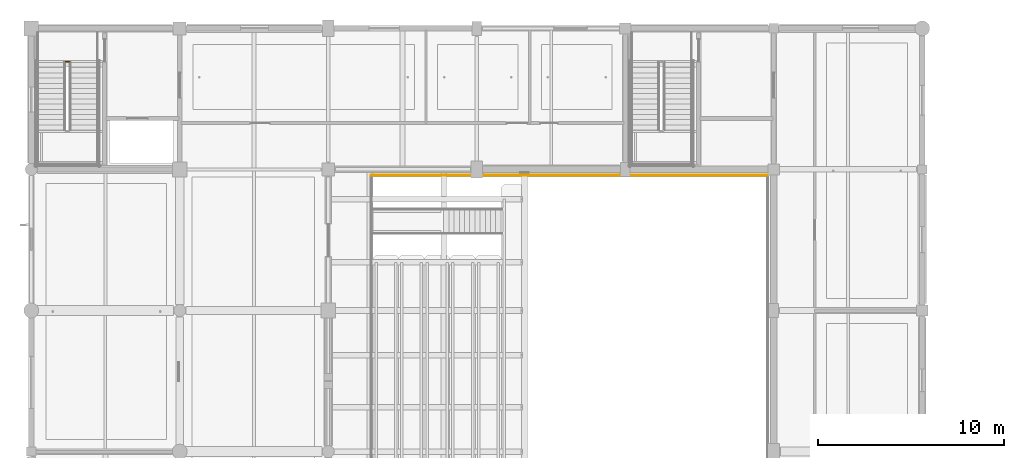
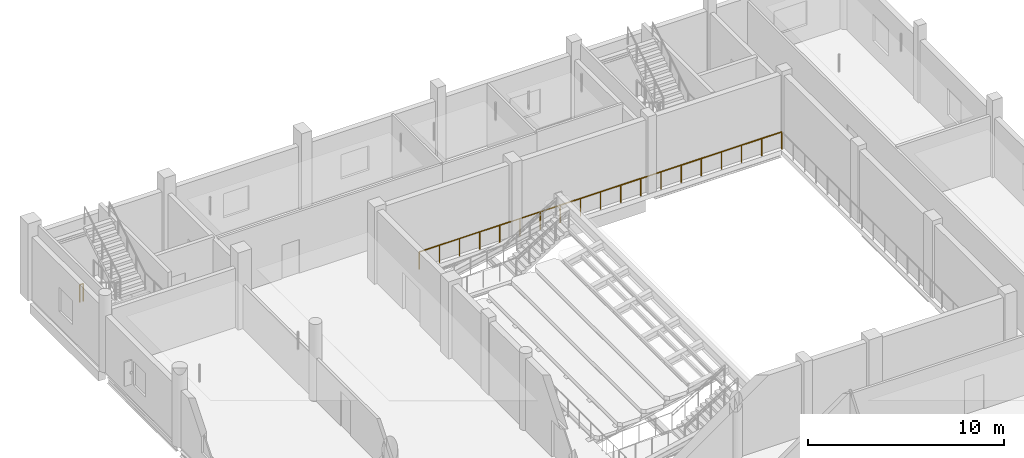
# One storey, part 139 of 147: 2 railings.
"""IFC4 building model written with IfcOpenShell, lengths in metres."""

import ifcopenshell
import ifcopenshell.guid

model = None  # the IFC model being written
_history = None  # IfcOwnerHistory: only IFC2X3 demands one
_inside = {}  # id of a spatial element -> (the spatial element, [elements in it])
_under = {}  # id of a project, library or spatial element -> (it, [spatial elements below it])
_declared = {}  # id of a project -> (the project, [libraries it declares])
_typed = {}  # id of a type object -> (the type object, [elements of that type])
_made_of = {}  # id of a material, layer set ... -> (it, [elements and type objects made of it])


def new_model(schema):
    """Start an empty IFC model of exactly this schema.

    Asked for "IFC4X3", IfcOpenShell would pick the latest addendum, in which some entities
    have other attributes; the version numbers below select the first issue.
    IFC2X3 requires an IfcOwnerHistory on every rooted entity: one is made here for all.
    """
    global model, _history
    if schema == "IFC4X3":
        model = ifcopenshell.file(schema_version=(4, 3, 0, 0))
    else:
        model = ifcopenshell.file(schema=schema)
    _inside.clear()
    _under.clear()
    _declared.clear()
    _typed.clear()
    _made_of.clear()
    _history = None
    if model.schema == "IFC2X3":
        org = make("IfcOrganization", Name="unknown")
        user = make(
            "IfcPersonAndOrganization",
            ThePerson=make("IfcPerson", FamilyName="unknown"),
            TheOrganization=org,
        )
        app = make(
            "IfcApplication",
            ApplicationDeveloper=org,
            Version="unknown",
            ApplicationFullName="unknown",
            ApplicationIdentifier="unknown",
        )
        _history = make(
            "IfcOwnerHistory",
            OwningUser=user,
            OwningApplication=app,
            ChangeAction="ADDED",
            CreationDate=0,
        )
    return model


def make(cls, **values):
    """One entity of the class cls with the attributes given. An attribute that is None is left unset."""
    return model.create_entity(
        cls, **{name: value for name, value in values.items() if value is not None}
    )


def rooted(cls, **values):
    """An entity with a GlobalId (a new one), such as an element, a storey or a relation."""
    return make(cls, GlobalId=ifcopenshell.guid.new(), OwnerHistory=_history, **values)


def si_unit(unit_type, name, prefix=None):
    """IfcSIUnit, for example si_unit("LENGTHUNIT", "METRE", prefix="MILLI")."""
    return make("IfcSIUnit", UnitType=unit_type, Prefix=prefix, Name=name)


def assignment(units):
    """IfcUnitAssignment: the units of a project."""
    return None if units is None else make("IfcUnitAssignment", Units=units)


def point(xyz):
    """IfcCartesianPoint."""
    return None if xyz is None else make("IfcCartesianPoint", Coordinates=xyz)


def direction(xyz):
    """IfcDirection."""
    return None if xyz is None else make("IfcDirection", DirectionRatios=xyz)


def frame(location, z_axis=None, x_axis=None):
    """IfcAxis2Placement3D, a coordinate frame: its origin and axes. An axis left out is left unset."""
    return make(
        "IfcAxis2Placement3D",
        Location=point(location),
        Axis=direction(z_axis),
        RefDirection=direction(x_axis),
    )


def frame_2d(location, x_axis=None):
    """IfcAxis2Placement2D, a coordinate frame in the plane: its origin and x axis."""
    return make(
        "IfcAxis2Placement2D", Location=point(location), RefDirection=direction(x_axis)
    )


def origin():
    """The frame at (0, 0, 0) with its axes left unset."""
    return frame((0.0, 0.0, 0.0))


def origin_2d():
    """The frame at (0, 0) in the plane with its x axis left unset."""
    return frame_2d((0.0, 0.0))


def place(relative_to, where):
    """IfcLocalPlacement: puts the frame where relative to a parent placement (None: the world)."""
    return make(
        "IfcLocalPlacement", PlacementRelTo=relative_to, RelativePlacement=where
    )


def context(
    kind, dimensions, precision=None, world=None, true_north=None, identifier=None
):
    """IfcGeometricRepresentationContext, for example the 3D "Model" context."""
    return make(
        "IfcGeometricRepresentationContext",
        ContextIdentifier=identifier,
        ContextType=kind,
        CoordinateSpaceDimension=dimensions,
        Precision=precision,
        WorldCoordinateSystem=world,
        TrueNorth=true_north,
    )


def subcontext(parent, identifier, kind, view, scale=None):
    """IfcGeometricRepresentationSubContext, for example "Body" below "Model"."""
    return make(
        "IfcGeometricRepresentationSubContext",
        ContextIdentifier=identifier,
        ContextType=kind,
        ParentContext=parent,
        TargetScale=scale,
        TargetView=view,
    )


def project(units=None, contexts=None):
    """IfcProject with its units and contexts."""
    return rooted(
        "IfcProject",
        Name="project",
        RepresentationContexts=contexts,
        UnitsInContext=assignment(units),
    )


def spatial(cls, under=None, at=None, **own):
    """A site, building, storey or space (cls), placed at a placement, below another one or the project."""
    s = rooted(cls, ObjectPlacement=at, **own)
    if under is not None:
        _under.setdefault(under.id(), (under, []))[1].append(s)
    return s


def profile(cls, at=None, kind="AREA", **sizes):
    """A parametric profile (cls). Its sizes go by their IFC names, for example OverallWidth=200.0."""
    return make(cls, ProfileType=kind, Position=at, **sizes)


def circle(**sizes):
    """IfcCircleProfileDef."""
    return profile("IfcCircleProfileDef", **sizes)


def extrude(swept, where, along, depth):
    """IfcExtrudedAreaSolid: the profile swept, set in the frame where, extruded along a direction by depth."""
    return make(
        "IfcExtrudedAreaSolid",
        SweptArea=swept,
        Position=where,
        ExtrudedDirection=direction(along),
        Depth=depth,
    )


def shape(context_of_items, identifier, shape_type, items):
    """IfcShapeRepresentation: the items that make up one representation, for example the "Body"."""
    return make(
        "IfcShapeRepresentation",
        ContextOfItems=context_of_items,
        RepresentationIdentifier=identifier,
        RepresentationType=shape_type,
        Items=items,
    )


def material(Name=None, Category=None):
    """IfcMaterial."""
    return make("IfcMaterial", Name=Name, Category=Category)


def made_of(thing, what):
    """Note that an element or type object is made of a material, layer set ...; save() writes the relation."""
    if what is not None:
        _made_of.setdefault(what.id(), (what, []))[1].append(thing)
    return thing


def type_object(cls, material=None, **own):
    """A type object (cls), such as IfcWallType, which elements share."""
    return made_of(rooted(cls, **own), material)


def element(
    cls,
    number,
    at=None,
    inside=None,
    cuts=None,
    type_object=None,
    material=None,
    context=None,
    identifier="Body",
    shape_type=None,
    held_by="IfcProductDefinitionShape",
    body=None,
    shapes=None,
    **own,
):
    """One element of the class cls, such as IfcWall. Its Tag is "e" and its number.

    at: its placement. inside: the storey or other place that contains it. cuts: it is an
    opening in that element (IfcRelVoidsElement). A single representation is given by context,
    identifier, shape_type and body (its items); several are given by shapes. held_by: the class
    of the entity that holds the representations. save() writes the other relations.
    """
    e = rooted(cls, Tag="e%d" % number, ObjectPlacement=at, **own)
    if body is not None:
        shapes = [shape(context, identifier, shape_type, body)]
    if shapes is not None:
        e.Representation = make(held_by, Representations=shapes)
    if inside is not None:
        _inside.setdefault(inside.id(), (inside, []))[1].append(e)
    if cuts is not None:
        rooted(
            "IfcRelVoidsElement", RelatingBuildingElement=cuts, RelatedOpeningElement=e
        )
    if type_object is not None:
        _typed.setdefault(type_object.id(), (type_object, []))[1].append(e)
    return made_of(e, material)


def aggregate(whole, parts):
    """IfcRelAggregates: a whole, such as a stair, and the parts it consists of."""
    return rooted("IfcRelAggregates", RelatingObject=whole, RelatedObjects=parts)


def save(model, path):
    """Write the relations noted so far, then the file.

    IfcRelAggregates (storeys below a building ...), IfcRelContainedInSpatialStructure (elements
    in a storey), IfcRelDefinesByType, IfcRelAssociatesMaterial and IfcRelDeclares: one each for
    every whole, place, type object, material and project.
    """
    for whole, parts in _under.values():
        aggregate(whole, parts)
    for where, things in _inside.values():
        rooted(
            "IfcRelContainedInSpatialStructure",
            RelatedElements=things,
            RelatingStructure=where,
        )
    for kind, things in _typed.values():
        rooted("IfcRelDefinesByType", RelatedObjects=things, RelatingType=kind)
    for what, things in _made_of.values():
        rooted("IfcRelAssociatesMaterial", RelatedObjects=things, RelatingMaterial=what)
    for by, libraries in _declared.values():
        rooted("IfcRelDeclares", RelatingContext=by, RelatedDefinitions=libraries)
    model.write(path)


model = new_model("IFC4")

# Units and contexts
model_context = context("Model", 3, precision=1e-05, world=origin(), true_north=direction((0.0, 1.0)))
body_context = subcontext(model_context, "Body", "Model", "MODEL_VIEW")
ifc_project = project(units=[si_unit("LENGTHUNIT", "METRE"), si_unit("AREAUNIT", "SQUARE_METRE"), si_unit("VOLUMEUNIT", "CUBIC_METRE"), si_unit("PLANEANGLEUNIT", "RADIAN"), si_unit("MASSUNIT", "GRAM", prefix="KILO")], contexts=[model_context])

# Site, building, storey
site_placement = place(None, origin())
site = spatial("IfcSite", under=ifc_project, at=site_placement, CompositionType="ELEMENT")
building_placement = place(site_placement, origin())
building = spatial("IfcBuilding", under=site, at=building_placement, Name="Khelvaren Railside Concert Hall", CompositionType="ELEMENT")
storey_placement = place(building_placement, frame((0.0, 0.0, 5.39990234375)))
storey = spatial("IfcBuildingStorey", under=building, at=storey_placement, Name="L01", CompositionType="ELEMENT", Elevation=5.39990234375)

# Railings
ifc_material_1 = material(Name="Painted architectural steel", Category="steel")
railing_type_1 = type_object("IfcRailingType", Name="GRD86", PredefinedType="GUARDRAIL", material=ifc_material_1)
railing_1_placement = place(storey_placement, frame((1.860107421875, 112.2099609375, 0.0)))
element("IfcRailing", 1, at=railing_1_placement, inside=storey, type_object=railing_type_1, Name="L01 ST-07 stair guard 7", PredefinedType="GUARDRAIL", context=body_context, shape_type="SweptSolid", body=[
    extrude(circle(Radius=0.02392578125, at=origin_2d()), frame((0.0, 0.0, 1.076171875), z_axis=(1.0, 0.0, 0.0), x_axis=(0.0, 1.0, 0.0)), (0.0, 0.0, 1.0), 0.199951171875),
    extrude(circle(Radius=0.02099609375, at=origin_2d()), origin(), (0.0, 0.0, 1.0), 1.052001953125),
    extrude(circle(Radius=0.02099609375, at=origin_2d()), frame((0.199951171875, 0.0, 0.0)), (0.0, 0.0, 1.0), 1.052001953125),
])
ifc_material_2 = material(Name="Acoustic bronze and laminated glass guardrail", Category="glass")
railing_type_2 = type_object("IfcRailingType", Name="GRD91", PredefinedType="GUARDRAIL", material=ifc_material_2)
railing_2_placement = place(storey_placement, frame((39.679931640625, 106.080078125, 0.0)))
element("IfcRailing", 2, at=railing_2_placement, inside=storey, type_object=railing_type_2, Name="V4 L01 Acoustic Bowl Edge Guardrail N", PredefinedType="GUARDRAIL", context=body_context, shape_type="SweptSolid", body=[
    extrude(circle(Radius=0.02392578125, at=origin_2d()), frame((0.0, 0.0, 1.076171875), z_axis=(-1.0, 0.0, 0.0), x_axis=(0.0, -1.0, 0.0)), (0.0, 0.0, 1.0), 21.35986328125),
    extrude(circle(Radius=0.02099609375, at=origin_2d()), origin(), (0.0, 0.0, 1.0), 1.052001953125),
    extrude(circle(Radius=0.02099609375, at=origin_2d()), frame((-1.186767578125, 0.0, 0.0)), (0.0, 0.0, 1.0), 1.052001953125),
    extrude(circle(Radius=0.02099609375, at=origin_2d()), frame((-2.373291015625, 0.0, 0.0)), (0.0, 0.0, 1.0), 1.052001953125),
    extrude(circle(Radius=0.02099609375, at=origin_2d()), frame((-3.56005859375, 0.0, 0.0)), (0.0, 0.0, 1.0), 1.052001953125),
    extrude(circle(Radius=0.02099609375, at=origin_2d()), frame((-4.74658203125, 0.0, 0.0)), (0.0, 0.0, 1.0), 1.052001953125),
    extrude(circle(Radius=0.02099609375, at=origin_2d()), frame((-5.933349609375, 0.0, 0.0)), (0.0, 0.0, 1.0), 1.052001953125),
    extrude(circle(Radius=0.02099609375, at=origin_2d()), frame((-7.119873046875, 0.0, 0.0)), (0.0, 0.0, 1.0), 1.052001953125),
    extrude(circle(Radius=0.02099609375, at=origin_2d()), frame((-8.306640625, 0.0, 0.0)), (0.0, 0.0, 1.0), 1.052001953125),
    extrude(circle(Radius=0.02099609375, at=origin_2d()), frame((-9.4931640625, 0.0, 0.0)), (0.0, 0.0, 1.0), 1.052001953125),
    extrude(circle(Radius=0.02099609375, at=origin_2d()), frame((-10.679931640625, 0.0, 0.0)), (0.0, 0.0, 1.0), 1.052001953125),
    extrude(circle(Radius=0.02099609375, at=origin_2d()), frame((-11.86669921875, 0.0, 0.0)), (0.0, 0.0, 1.0), 1.052001953125),
    extrude(circle(Radius=0.02099609375, at=origin_2d()), frame((-13.05322265625, 0.0, 0.0)), (0.0, 0.0, 1.0), 1.052001953125),
    extrude(circle(Radius=0.02099609375, at=origin_2d()), frame((-14.239990234375, 0.0, 0.0)), (0.0, 0.0, 1.0), 1.052001953125),
    extrude(circle(Radius=0.02099609375, at=origin_2d()), frame((-15.426513671875, 0.0, 0.0)), (0.0, 0.0, 1.0), 1.052001953125),
    extrude(circle(Radius=0.02099609375, at=origin_2d()), frame((-16.61328125, 0.0, 0.0)), (0.0, 0.0, 1.0), 1.052001953125),
    extrude(circle(Radius=0.02099609375, at=origin_2d()), frame((-17.7998046875, 0.0, 0.0)), (0.0, 0.0, 1.0), 1.052001953125),
    extrude(circle(Radius=0.02099609375, at=origin_2d()), frame((-18.986572265625, 0.0, 0.0)), (0.0, 0.0, 1.0), 1.052001953125),
    extrude(circle(Radius=0.02099609375, at=origin_2d()), frame((-20.173095703125, 0.0, 0.0)), (0.0, 0.0, 1.0), 1.052001953125),
    extrude(circle(Radius=0.02099609375, at=origin_2d()), frame((-21.35986328125, 0.0, 0.0)), (0.0, 0.0, 1.0), 1.052001953125),
])

save(model, "model.ifc")
